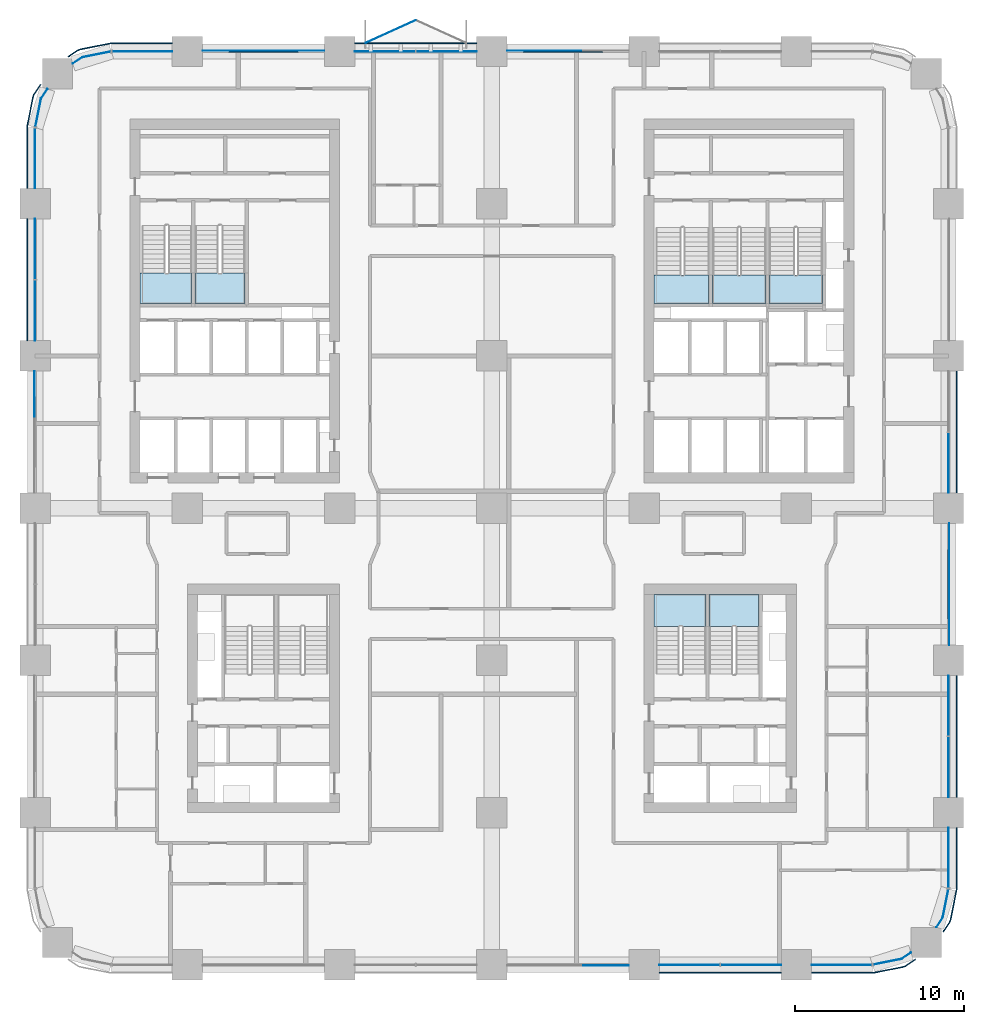
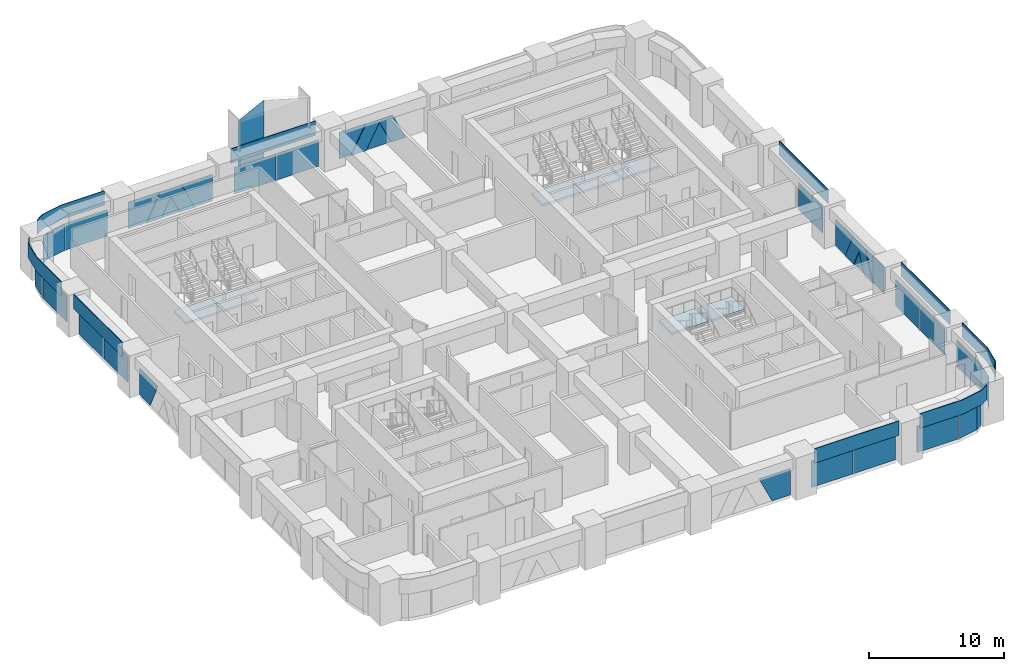
# One storey, part 11 of 23: 40 plates, 7 slabs, 21 elements without a shape of their own.
"""IFC4 building model written with IfcOpenShell, lengths in metres."""

from ifc_helpers import new_model, si_unit, direction, frame, origin, origin_2d, place, context, subcontext, project, spatial, polyline, rectangle, outline, extrude, material, layer, layer_set, type_object, element, aggregate, save


model = new_model("IFC4")

# Units and contexts
model_context = context("Model", 3, precision=1e-05, world=origin(), true_north=direction((0.0, 1.0)))
body_context = subcontext(model_context, "Body", "Model", "MODEL_VIEW")
ifc_project = project(units=[si_unit("LENGTHUNIT", "METRE"), si_unit("AREAUNIT", "SQUARE_METRE"), si_unit("VOLUMEUNIT", "CUBIC_METRE"), si_unit("PLANEANGLEUNIT", "RADIAN"), si_unit("MASSUNIT", "GRAM", prefix="KILO")], contexts=[model_context])

# Site, building, storey
site_placement = place(None, origin())
site = spatial("IfcSite", under=ifc_project, at=site_placement, CompositionType="ELEMENT")
building_placement = place(site_placement, origin())
building = spatial("IfcBuilding", under=site, at=building_placement, Name="Tessera Arch", CompositionType="ELEMENT")
storey_placement = place(building_placement, frame((0.0, 0.0, 34.800048828125)))
storey = spatial("IfcBuildingStorey", under=building, at=storey_placement, Name="L06", CompositionType="ELEMENT", Elevation=34.800048828125)

# Curtain wall, plates
ifc_material_1 = material(Name="CW1 curtain wall")
curtain_wall_type_1 = type_object("IfcCurtainWallType", Name="CW1 curtain wall", PredefinedType="NOTDEFINED", material=ifc_material_1)
curtain_wall_1_placement = place(storey_placement, origin())
curtain_wall_1 = element("IfcCurtainWall", 1, at=curtain_wall_1_placement, inside=storey, type_object=curtain_wall_type_1, Name="CW1 curtain wall S0.0/3 L06", PredefinedType="NOTDEFINED")
ifc_material_2 = material(Name="Clear low-e glass", Category="glass")
ifc_material_3 = material(Name="Clear low-e glass", Category="glass")
ifc_layer_1 = layer(ifc_material_3, 0.028076171875)
ifc_layer_set_1 = layer_set([ifc_layer_1], Name="CW1 glass panel")
plate_type_1 = type_object("IfcPlateType", Name="CW1 glass panel", PredefinedType="CURTAIN_PANEL", material=ifc_layer_set_1)
plate_1_placement = place(storey_placement, frame((38.68505859375, 0.0, 0.0), z_axis=(0.0, 0.0, 1.0), x_axis=(1.0, 0.0, 0.0)))
plate_1 = element("IfcPlate", 2, at=plate_1_placement, type_object=plate_type_1, material=ifc_material_2, Name="CW1 glass panel S0.0/3 1.1.1", PredefinedType="CURTAIN_PANEL", context=body_context, shape_type="SweptSolid", body=[
    extrude(rectangle(XDim=3.570068359375, YDim=0.028076171875, at=origin_2d()), origin(), (0.0, 0.0, 1.0), 2.39990234375),
])
plate_2_placement = place(storey_placement, frame((42.31494140625, 0.0, 0.0), z_axis=(0.0, 0.0, 1.0), x_axis=(1.0, 0.0, 0.0)))
plate_2 = element("IfcPlate", 3, at=plate_2_placement, type_object=plate_type_1, material=ifc_material_2, Name="CW1 glass panel S0.0/3 1.2.1", PredefinedType="CURTAIN_PANEL", context=body_context, shape_type="SweptSolid", body=[
    extrude(rectangle(XDim=3.570068359375, YDim=0.028076171875, at=origin_2d()), origin(), (0.0, 0.0, 1.0), 2.39990234375),
])

curtain_wall_2_placement = place(storey_placement, origin())
curtain_wall_2 = element("IfcCurtainWall", 4, at=curtain_wall_2_placement, inside=storey, type_object=curtain_wall_type_1, Name="CW1 curtain wall E54.0/1 L06", PredefinedType="NOTDEFINED")
plate_3_placement = place(storey_placement, frame((54.0, 11.68505859375, 0.0), z_axis=(0.0, 0.0, 1.0), x_axis=(0.0, 1.0, 0.0)))
plate_3 = element("IfcPlate", 5, at=plate_3_placement, type_object=plate_type_1, material=ifc_material_2, Name="CW1 glass panel E54.0/1 1.1.1", PredefinedType="CURTAIN_PANEL", context=body_context, shape_type="SweptSolid", body=[
    extrude(rectangle(XDim=3.570068359375, YDim=0.028076171875, at=origin_2d()), origin(), (0.0, 0.0, 1.0), 2.39990234375),
])
plate_4_placement = place(storey_placement, frame((54.0, 15.31494140625, 0.0), z_axis=(0.0, 0.0, 1.0), x_axis=(0.0, 1.0, 0.0)))
plate_4 = element("IfcPlate", 6, at=plate_4_placement, type_object=plate_type_1, material=ifc_material_2, Name="CW1 glass panel E54.0/1 1.2.1", PredefinedType="CURTAIN_PANEL", context=body_context, shape_type="SweptSolid", body=[
    extrude(rectangle(XDim=3.570068359375, YDim=0.028076171875, at=origin_2d()), origin(), (0.0, 0.0, 1.0), 2.39990234375),
])

# Curtain wall, plate
curtain_wall_3_placement = place(storey_placement, origin())
curtain_wall_3 = element("IfcCurtainWall", 7, at=curtain_wall_3_placement, inside=storey, type_object=curtain_wall_type_1, Name="CW1 curtain wall E54.0/3 L06", PredefinedType="NOTDEFINED")
plate_5_placement = place(storey_placement, frame((54.0, 29.68505859375, 0.0), z_axis=(0.0, 0.0, 1.0), x_axis=(0.0, 1.0, 0.0)))
plate_5 = element("IfcPlate", 8, at=plate_5_placement, type_object=plate_type_1, material=ifc_material_2, Name="CW1 glass panel E54.0/3 1.1.1", PredefinedType="CURTAIN_PANEL", context=body_context, shape_type="SweptSolid", body=[
    extrude(rectangle(XDim=3.570068359375, YDim=0.028076171875, at=origin_2d()), origin(), (0.0, 0.0, 1.0), 2.39990234375),
])

# Curtain wall, plates
curtain_wall_4_placement = place(storey_placement, origin())
curtain_wall_4 = element("IfcCurtainWall", 9, at=curtain_wall_4_placement, inside=storey, type_object=curtain_wall_type_1, Name="CW1 curtain wall N54.0/3 L06", PredefinedType="NOTDEFINED")
plate_6_placement = place(storey_placement, frame((24.31494140625, 54.0, 0.0), z_axis=(0.0, 0.0, 1.0), x_axis=(-1.0, 0.0, 0.0)))
plate_6 = element("IfcPlate", 10, at=plate_6_placement, type_object=plate_type_1, material=ifc_material_2, Name="CW1 glass panel N54.0/3 1.1.1", PredefinedType="CURTAIN_PANEL", context=body_context, shape_type="SweptSolid", body=[
    extrude(rectangle(XDim=3.570068359375, YDim=0.028076171875, at=origin_2d()), origin(), (0.0, 0.0, 1.0), 2.39990234375),
])
plate_7_placement = place(storey_placement, frame((20.68505859375, 54.0, 0.0), z_axis=(0.0, 0.0, 1.0), x_axis=(-1.0, 0.0, 0.0)))
plate_7 = element("IfcPlate", 11, at=plate_7_placement, type_object=plate_type_1, material=ifc_material_2, Name="CW1 glass panel N54.0/3 1.2.1", PredefinedType="CURTAIN_PANEL", context=body_context, shape_type="SweptSolid", body=[
    extrude(rectangle(XDim=3.570068359375, YDim=0.028076171875, at=origin_2d()), origin(), (0.0, 0.0, 1.0), 2.39990234375),
])

curtain_wall_5_placement = place(storey_placement, origin())
curtain_wall_5 = element("IfcCurtainWall", 12, at=curtain_wall_5_placement, inside=storey, type_object=curtain_wall_type_1, Name="CW1 curtain wall W0.0/1 L06", PredefinedType="NOTDEFINED")
plate_8_placement = place(storey_placement, frame((0.0, 42.31494140625, 0.0), z_axis=(0.0, 0.0, 1.0), x_axis=(0.0, -1.0, 0.0)))
plate_8 = element("IfcPlate", 13, at=plate_8_placement, type_object=plate_type_1, material=ifc_material_2, Name="CW1 glass panel W0.0/1 1.1.1", PredefinedType="CURTAIN_PANEL", context=body_context, shape_type="SweptSolid", body=[
    extrude(rectangle(XDim=3.570068359375, YDim=0.028076171875, at=origin_2d()), origin(), (0.0, 0.0, 1.0), 2.39990234375),
])
plate_9_placement = place(storey_placement, frame((0.0, 38.68505859375, 0.0), z_axis=(0.0, 0.0, 1.0), x_axis=(0.0, -1.0, 0.0)))
plate_9 = element("IfcPlate", 14, at=plate_9_placement, type_object=plate_type_1, material=ifc_material_2, Name="CW1 glass panel W0.0/1 1.2.1", PredefinedType="CURTAIN_PANEL", context=body_context, shape_type="SweptSolid", body=[
    extrude(rectangle(XDim=3.570068359375, YDim=0.028076171875, at=origin_2d()), origin(), (0.0, 0.0, 1.0), 2.39990234375),
])

# Plate
ifc_material_4 = material(Name="Pale anodised aluminium panel", Category="aluminium")
ifc_layer_2 = layer(ifc_material_4, 0.06005859375)
ifc_layer_set_2 = layer_set([ifc_layer_2], Name="CW1 spandrel panel")
plate_type_2 = type_object("IfcPlateType", Name="CW1 spandrel panel", PredefinedType="CURTAIN_PANEL", material=ifc_layer_set_2)
plate_10_placement = place(storey_placement, frame((40.5, -0.47998046875, 2.5), z_axis=(0.0, 0.0, 1.0), x_axis=(1.0, 0.0, 0.0)))
plate_10 = element("IfcPlate", 15, at=plate_10_placement, type_object=plate_type_2, Name="CW1 spandrel panel S0.0/3", PredefinedType="CURTAIN_PANEL", context=body_context, shape_type="SweptSolid", body=[
    extrude(rectangle(XDim=7.199951171875, YDim=0.06005859375, at=origin_2d()), origin(), (0.0, 0.0, 1.0), 1.300048828125),
])

aggregate(curtain_wall_1, [plate_1, plate_2, plate_10])

plate_11_placement = place(storey_placement, frame((54.47998046875, 13.5, 2.5), z_axis=(0.0, 0.0, 1.0), x_axis=(0.0, 1.0, 0.0)))
plate_11 = element("IfcPlate", 16, at=plate_11_placement, type_object=plate_type_2, Name="CW1 spandrel panel E54.0/1", PredefinedType="CURTAIN_PANEL", context=body_context, shape_type="SweptSolid", body=[
    extrude(rectangle(XDim=7.199951171875, YDim=0.06005859375, at=origin_2d()), origin(), (0.0, 0.0, 1.0), 1.300048828125),
])

aggregate(curtain_wall_2, [plate_3, plate_4, plate_11])

plate_12_placement = place(storey_placement, frame((54.47998046875, 31.5, 2.5), z_axis=(0.0, 0.0, 1.0), x_axis=(0.0, 1.0, 0.0)))
plate_12 = element("IfcPlate", 17, at=plate_12_placement, type_object=plate_type_2, Name="CW1 spandrel panel E54.0/3", PredefinedType="CURTAIN_PANEL", context=body_context, shape_type="SweptSolid", body=[
    extrude(rectangle(XDim=7.199951171875, YDim=0.06005859375, at=origin_2d()), origin(), (0.0, 0.0, 1.0), 1.300048828125),
])

aggregate(curtain_wall_3, [plate_5, plate_12])

plate_13_placement = place(storey_placement, frame((22.5, 54.47998046875, 2.5), z_axis=(0.0, 0.0, 1.0), x_axis=(-1.0, 0.0, 0.0)))
plate_13 = element("IfcPlate", 18, at=plate_13_placement, type_object=plate_type_2, Name="CW1 spandrel panel N54.0/3", PredefinedType="CURTAIN_PANEL", context=body_context, shape_type="SweptSolid", body=[
    extrude(rectangle(XDim=7.199951171875, YDim=0.06005859375, at=origin_2d()), origin(), (0.0, 0.0, 1.0), 1.300048828125),
])

aggregate(curtain_wall_4, [plate_6, plate_7, plate_13])

plate_14_placement = place(storey_placement, frame((-0.47998046875, 40.5, 2.5), z_axis=(0.0, 0.0, 1.0), x_axis=(0.0, -1.0, 0.0)))
plate_14 = element("IfcPlate", 19, at=plate_14_placement, type_object=plate_type_2, Name="CW1 spandrel panel W0.0/1", PredefinedType="CURTAIN_PANEL", context=body_context, shape_type="SweptSolid", body=[
    extrude(rectangle(XDim=7.199951171875, YDim=0.06005859375, at=origin_2d()), origin(), (0.0, 0.0, 1.0), 1.300048828125),
])

aggregate(curtain_wall_5, [plate_8, plate_9, plate_14])

# Curtain wall, plates
ifc_material_5 = material(Name="CW2 curtain wall")
curtain_wall_type_2 = type_object("IfcCurtainWallType", Name="CW2 curtain wall", PredefinedType="NOTDEFINED", material=ifc_material_5)
curtain_wall_6_placement = place(storey_placement, origin())
curtain_wall_6 = element("IfcCurtainWall", 20, at=curtain_wall_6_placement, inside=storey, type_object=curtain_wall_type_2, Name="CW2 curtain wall S0.0/4 L06", PredefinedType="NOTDEFINED")
ifc_material_6 = material(Name="Clear low-e glass", Category="glass")
ifc_layer_3 = layer(ifc_material_6, 0.028076171875)
ifc_layer_set_3 = layer_set([ifc_layer_3], Name="CW2 glass panel")
plate_type_3 = type_object("IfcPlateType", Name="CW2 glass panel", PredefinedType="CURTAIN_PANEL", material=ifc_layer_set_3)
plate_15_placement = place(storey_placement, frame((47.679931640625, 0.0, 0.0), z_axis=(0.0, 0.0, 1.0), x_axis=(1.0, 0.0, 0.0)))
plate_15 = element("IfcPlate", 21, at=plate_15_placement, type_object=plate_type_3, material=ifc_material_2, Name="CW2 glass panel S0.0/4 1.1", PredefinedType="CURTAIN_PANEL", context=body_context, shape_type="SweptSolid", body=[
    extrude(rectangle(XDim=3.56005859375, YDim=0.028076171875, at=origin_2d()), origin(), (0.0, 0.0, 1.0), 2.39990234375),
])
plate_16_placement = place(storey_placement, origin())
plate_16 = element("IfcPlate", 22, at=plate_16_placement, type_object=plate_type_3, material=ifc_material_2, Name="CW2 curved glass panel S0.0/4 2.1", PredefinedType="CURTAIN_PANEL", context=body_context, shape_type="SweptSolid", body=[
    extrude(outline(polyline([(51.216552734375, 0.355712890625), (49.53662109375, 0.021484375), (49.5419921875, -0.005859375), (51.2275390625, 0.329345703125), (51.789794921875, 0.705078125), (51.774169921875, 0.728271484375), (51.216552734375, 0.355712890625)])), origin(), (0.0, 0.0, 1.0), 2.39990234375),
])

curtain_wall_7_placement = place(storey_placement, origin())
curtain_wall_7 = element("IfcCurtainWall", 23, at=curtain_wall_7_placement, inside=storey, type_object=curtain_wall_type_2, Name="CW2 curtain wall E54.0/0 L06", PredefinedType="NOTDEFINED")
plate_17_placement = place(storey_placement, frame((54.0, 6.320068359375, 0.0), z_axis=(0.0, 0.0, 1.0), x_axis=(0.0, 1.0, 0.0)))
plate_17 = element("IfcPlate", 24, at=plate_17_placement, type_object=plate_type_3, material=ifc_material_2, Name="CW2 glass panel E54.0/0 1.1", PredefinedType="CURTAIN_PANEL", context=body_context, shape_type="SweptSolid", body=[
    extrude(rectangle(XDim=3.56005859375, YDim=0.028076171875, at=origin_2d()), origin(), (0.0, 0.0, 1.0), 2.39990234375),
])
plate_18_placement = place(storey_placement, origin())
plate_18 = element("IfcPlate", 25, at=plate_18_placement, type_object=plate_type_3, material=ifc_material_2, Name="CW2 curved glass panel E54.0/0 2.1", PredefinedType="CURTAIN_PANEL", context=body_context, shape_type="SweptSolid", body=[
    extrude(outline(polyline([(53.644287109375, 2.783447265625), (53.271728515625, 2.225830078125), (53.294921875, 2.210205078125), (53.670654296875, 2.7724609375), (54.005859375, 4.4580078125), (53.978515625, 4.46337890625), (53.644287109375, 2.783447265625)])), origin(), (0.0, 0.0, 1.0), 2.39990234375),
])

curtain_wall_8_placement = place(storey_placement, origin())
curtain_wall_8 = element("IfcCurtainWall", 26, at=curtain_wall_8_placement, inside=storey, type_object=curtain_wall_type_2, Name="CW2 curtain wall N54.0/5 L06", PredefinedType="NOTDEFINED")
plate_19_placement = place(storey_placement, frame((6.320068359375, 54.0, 0.0), z_axis=(0.0, 0.0, 1.0), x_axis=(-1.0, 0.0, 0.0)))
plate_19 = element("IfcPlate", 27, at=plate_19_placement, type_object=plate_type_3, material=ifc_material_2, Name="CW2 glass panel N54.0/5 1.1", PredefinedType="CURTAIN_PANEL", context=body_context, shape_type="SweptSolid", body=[
    extrude(rectangle(XDim=3.56005859375, YDim=0.028076171875, at=origin_2d()), origin(), (0.0, 0.0, 1.0), 2.39990234375),
])
plate_20_placement = place(storey_placement, origin())
plate_20 = element("IfcPlate", 28, at=plate_20_placement, type_object=plate_type_3, material=ifc_material_2, Name="CW2 curved glass panel N54.0/5 2.1", PredefinedType="CURTAIN_PANEL", context=body_context, shape_type="SweptSolid", body=[
    extrude(outline(polyline([(2.783447265625, 53.644287109375), (4.46337890625, 53.978515625), (4.4580078125, 54.005859375), (2.7724609375, 53.670654296875), (2.210205078125, 53.294921875), (2.225830078125, 53.271728515625), (2.783447265625, 53.644287109375)])), origin(), (0.0, 0.0, 1.0), 2.39990234375),
])

curtain_wall_9_placement = place(storey_placement, origin())
curtain_wall_9 = element("IfcCurtainWall", 29, at=curtain_wall_9_placement, inside=storey, type_object=curtain_wall_type_2, Name="CW2 curtain wall W0.0/0 L06", PredefinedType="NOTDEFINED")
plate_21_placement = place(storey_placement, frame((0.0, 47.679931640625, 0.0), z_axis=(0.0, 0.0, 1.0), x_axis=(0.0, -1.0, 0.0)))
plate_21 = element("IfcPlate", 30, at=plate_21_placement, type_object=plate_type_3, material=ifc_material_2, Name="CW2 glass panel W0.0/0 1.1", PredefinedType="CURTAIN_PANEL", context=body_context, shape_type="SweptSolid", body=[
    extrude(rectangle(XDim=3.56005859375, YDim=0.028076171875, at=origin_2d()), origin(), (0.0, 0.0, 1.0), 2.39990234375),
])
plate_22_placement = place(storey_placement, origin())
plate_22 = element("IfcPlate", 31, at=plate_22_placement, type_object=plate_type_3, material=ifc_material_2, Name="CW2 curved glass panel W0.0/0 2.1", PredefinedType="CURTAIN_PANEL", context=body_context, shape_type="SweptSolid", body=[
    extrude(outline(polyline([(0.355712890625, 51.216552734375), (0.728271484375, 51.774169921875), (0.705078125, 51.789794921875), (0.329345703125, 51.2275390625), (-0.005859375, 49.5419921875), (0.021484375, 49.53662109375), (0.355712890625, 51.216552734375)])), origin(), (0.0, 0.0, 1.0), 2.39990234375),
])

# Plate
ifc_material_7 = material(Name="Pale anodised aluminium panel", Category="aluminium")
ifc_layer_4 = layer(ifc_material_7, 0.06005859375)
ifc_layer_set_4 = layer_set([ifc_layer_4], Name="CW2 spandrel panel")
plate_type_4 = type_object("IfcPlateType", Name="CW2 spandrel panel", PredefinedType="CURTAIN_PANEL", material=ifc_layer_set_4)
plate_23_placement = place(storey_placement, frame((0.0, 0.0, 2.5)))
plate_23 = element("IfcPlate", 32, at=plate_23_placement, type_object=plate_type_4, Name="CW2 spandrel panel S0.0/4", PredefinedType="CURTAIN_PANEL", context=body_context, shape_type="SweptSolid", body=[
    extrude(outline(polyline([(49.499267578125, -0.449951171875), (45.89990234375, -0.449951171875), (45.89990234375, -0.510009765625), (49.500732421875, -0.510009765625), (49.550048828125, -0.507568359375), (49.598876953125, -0.500244140625), (51.322265625, -0.157470703125), (51.3701171875, -0.1455078125), (51.417236328125, -0.128662109375), (51.462646484375, -0.107177734375), (51.5048828125, -0.08203125), (52.0654296875, 0.292724609375), (52.031982421875, 0.342529296875), (51.47265625, -0.03125), (51.434326171875, -0.05419921875), (51.394287109375, -0.0732421875), (51.352783203125, -0.088134765625), (51.30908203125, -0.09912109375), (49.588623046875, -0.441162109375), (49.544189453125, -0.44775390625), (49.499267578125, -0.449951171875)])), origin(), (0.0, 0.0, 1.0), 1.300048828125),
])

aggregate(curtain_wall_6, [plate_15, plate_16, plate_23])

plate_24_placement = place(storey_placement, frame((0.0, 0.0, 2.5)))
plate_24 = element("IfcPlate", 33, at=plate_24_placement, type_object=plate_type_4, Name="CW2 spandrel panel E54.0/0", PredefinedType="CURTAIN_PANEL", context=body_context, shape_type="SweptSolid", body=[
    extrude(outline(polyline([(54.03125, 2.52734375), (53.657470703125, 1.968017578125), (53.707275390625, 1.9345703125), (54.08203125, 2.4951171875), (54.107177734375, 2.537353515625), (54.128662109375, 2.582763671875), (54.1455078125, 2.6298828125), (54.157470703125, 2.677734375), (54.500244140625, 4.401123046875), (54.507568359375, 4.449951171875), (54.510009765625, 4.499267578125), (54.510009765625, 8.10009765625), (54.449951171875, 8.10009765625), (54.449951171875, 4.500732421875), (54.44775390625, 4.455810546875), (54.441162109375, 4.411376953125), (54.09912109375, 2.69091796875), (54.088134765625, 2.647216796875), (54.0732421875, 2.605712890625), (54.05419921875, 2.565673828125), (54.03125, 2.52734375)])), origin(), (0.0, 0.0, 1.0), 1.300048828125),
])

aggregate(curtain_wall_7, [plate_17, plate_18, plate_24])

plate_25_placement = place(storey_placement, frame((0.0, 0.0, 2.5)))
plate_25 = element("IfcPlate", 34, at=plate_25_placement, type_object=plate_type_4, Name="CW2 spandrel panel N54.0/5", PredefinedType="CURTAIN_PANEL", context=body_context, shape_type="SweptSolid", body=[
    extrude(outline(polyline([(4.500732421875, 54.449951171875), (8.10009765625, 54.449951171875), (8.10009765625, 54.510009765625), (4.499267578125, 54.510009765625), (4.449951171875, 54.507568359375), (4.401123046875, 54.500244140625), (2.677734375, 54.157470703125), (2.6298828125, 54.1455078125), (2.582763671875, 54.128662109375), (2.537353515625, 54.107177734375), (2.4951171875, 54.08203125), (1.9345703125, 53.707275390625), (1.968017578125, 53.657470703125), (2.52734375, 54.03125), (2.565673828125, 54.05419921875), (2.605712890625, 54.0732421875), (2.647216796875, 54.088134765625), (2.69091796875, 54.09912109375), (4.411376953125, 54.441162109375), (4.455810546875, 54.44775390625), (4.500732421875, 54.449951171875)])), origin(), (0.0, 0.0, 1.0), 1.300048828125),
])

aggregate(curtain_wall_8, [plate_19, plate_20, plate_25])

plate_26_placement = place(storey_placement, frame((0.0, 0.0, 2.5)))
plate_26 = element("IfcPlate", 35, at=plate_26_placement, type_object=plate_type_4, Name="CW2 spandrel panel W0.0/0", PredefinedType="CURTAIN_PANEL", context=body_context, shape_type="SweptSolid", body=[
    extrude(outline(polyline([(-0.03125, 51.47265625), (0.342529296875, 52.031982421875), (0.292724609375, 52.0654296875), (-0.08203125, 51.5048828125), (-0.107177734375, 51.462646484375), (-0.128662109375, 51.417236328125), (-0.1455078125, 51.3701171875), (-0.157470703125, 51.322265625), (-0.500244140625, 49.598876953125), (-0.507568359375, 49.550048828125), (-0.510009765625, 49.500732421875), (-0.510009765625, 45.89990234375), (-0.449951171875, 45.89990234375), (-0.449951171875, 49.499267578125), (-0.44775390625, 49.544189453125), (-0.441162109375, 49.588623046875), (-0.09912109375, 51.30908203125), (-0.088134765625, 51.352783203125), (-0.0732421875, 51.394287109375), (-0.05419921875, 51.434326171875), (-0.03125, 51.47265625)])), origin(), (0.0, 0.0, 1.0), 1.300048828125),
])

aggregate(curtain_wall_9, [plate_21, plate_22, plate_26])

# Curtain wall, plate
ifc_material_8 = material(Name="CW3 curtain wall")
curtain_wall_type_3 = type_object("IfcCurtainWallType", Name="CW3 curtain wall", PredefinedType="NOTDEFINED", material=ifc_material_8)
curtain_wall_10_placement = place(storey_placement, origin())
curtain_wall_10 = element("IfcCurtainWall", 36, at=curtain_wall_10_placement, inside=storey, type_object=curtain_wall_type_3, Name="CW3 curtain wall E54.0/2 L06", PredefinedType="NOTDEFINED")
ifc_material_9 = material(Name="Pale anodised aluminium panel", Category="aluminium")
ifc_layer_5 = layer(ifc_material_9, 0.06005859375)
ifc_layer_set_5 = layer_set([ifc_layer_5], Name="CW3 diagonal panel")
plate_type_5 = type_object("IfcPlateType", Name="CW3 diagonal panel", PredefinedType="CURTAIN_PANEL", material=ifc_layer_set_5)
plate_27_placement = place(storey_placement, frame((54.030029296875, 23.41259765625, 2.39990234375), z_axis=(1.0, 0.0, 0.0), x_axis=(0.0, -1.0, 0.0)))
plate_27 = element("IfcPlate", 37, at=plate_27_placement, type_object=plate_type_5, Name="CW3 diagonal panel E54.0/2 1", PredefinedType="CURTAIN_PANEL", context=body_context, shape_type="SweptSolid", body=[
    extrude(outline(polyline([(0.0, 0.0), (1.8251953125, 0.0), (2.962158203125, 2.39990234375), (1.705078125, 2.39990234375), (0.91259765625, 0.726806640625), (0.1201171875, 2.39990234375), (-1.136962890625, 2.39990234375), (0.0, 0.0)])), origin(), (0.0, 0.0, -1.0), 0.06005859375),
])

curtain_wall_11_placement = place(storey_placement, origin())
curtain_wall_11 = element("IfcCurtainWall", 38, at=curtain_wall_11_placement, inside=storey, type_object=curtain_wall_type_3, Name="CW3 curtain wall N54.0/2 L06", PredefinedType="NOTDEFINED")
plate_28_placement = place(storey_placement, frame((30.1259765625, 54.030029296875, 2.39990234375), z_axis=(0.0, 1.0, 0.0), x_axis=(1.0, 0.0, 0.0)))
plate_28 = element("IfcPlate", 39, at=plate_28_placement, type_object=plate_type_5, Name="CW3 diagonal panel N54.0/2 1", PredefinedType="CURTAIN_PANEL", context=body_context, shape_type="SweptSolid", body=[
    extrude(outline(polyline([(0.0, 0.0), (2.28662109375, 0.0), (3.423583984375, 2.39990234375), (2.16650390625, 2.39990234375), (1.150390625, 0.25439453125), (0.01708984375, 2.39990234375), (-1.267822265625, 2.39990234375), (0.0, 0.0)])), origin(), (0.0, 0.0, -1.0), 0.06005859375),
])

curtain_wall_12_placement = place(storey_placement, origin())
curtain_wall_12 = element("IfcCurtainWall", 40, at=curtain_wall_12_placement, inside=storey, type_object=curtain_wall_type_3, Name="CW3 curtain wall N54.0/4 L06", PredefinedType="NOTDEFINED")
plate_29_placement = place(storey_placement, frame((12.58740234375, 54.030029296875, 2.39990234375), z_axis=(0.0, 1.0, 0.0), x_axis=(1.0, 0.0, 0.0)))
plate_29 = element("IfcPlate", 41, at=plate_29_placement, type_object=plate_type_5, Name="CW3 diagonal panel N54.0/4 1", PredefinedType="CURTAIN_PANEL", context=body_context, shape_type="SweptSolid", body=[
    extrude(outline(polyline([(0.0, 0.0), (1.8251953125, 0.0), (2.962158203125, 2.39990234375), (1.705078125, 2.39990234375), (0.91259765625, 0.726806640625), (0.1201171875, 2.39990234375), (-1.136962890625, 2.39990234375), (0.0, 0.0)])), origin(), (0.0, 0.0, -1.0), 0.06005859375),
])

curtain_wall_13_placement = place(storey_placement, origin())
curtain_wall_13 = element("IfcCurtainWall", 42, at=curtain_wall_13_placement, inside=storey, type_object=curtain_wall_type_3, Name="CW3 curtain wall S0.0/2 L06", PredefinedType="NOTDEFINED")
ifc_material_10 = material(Name="Clear low-e glass", Category="glass")
ifc_layer_6 = layer(ifc_material_10, 0.028076171875)
ifc_layer_set_6 = layer_set([ifc_layer_6], Name="CW3 glass panel")
plate_type_6 = type_object("IfcPlateType", Name="CW3 glass panel", PredefinedType="CURTAIN_PANEL", material=ifc_layer_set_6)
plate_30_placement = place(storey_placement, frame((35.10009765625, -0.05810546875, 2.39990234375), z_axis=(0.0, -1.0, 0.0), x_axis=(-1.0, 0.0, 0.0)))
plate_30 = element("IfcPlate", 43, at=plate_30_placement, type_object=plate_type_6, material=ifc_material_2, Name="CW3 triangulated glass panel S0.0/2 3", PredefinedType="CURTAIN_PANEL", context=body_context, shape_type="SweptSolid", body=[
    extrude(outline(polyline([(0.0, 0.0), (2.6875, 0.0), (1.550537109375, 2.39990234375), (0.0, 2.39990234375), (0.0, 0.0)])), origin(), (0.0, 0.0, -1.0), 0.028076171875),
])
aggregate(curtain_wall_13, [plate_30])

# Plate
plate_31_placement = place(storey_placement, frame((54.05810546875, 18.89990234375, 0.0), z_axis=(1.0, 0.0, 0.0), x_axis=(0.0, 1.0, 0.0)))
plate_31 = element("IfcPlate", 44, at=plate_31_placement, type_object=plate_type_6, material=ifc_material_2, Name="CW3 triangulated glass panel E54.0/2 1", PredefinedType="CURTAIN_PANEL", context=body_context, shape_type="SweptSolid", body=[
    extrude(outline(polyline([(0.0, 0.0), (1.550537109375, 0.0), (2.6875, 2.39990234375), (0.0, 2.39990234375), (0.0, 0.0)])), origin(), (0.0, 0.0, -1.0), 0.028076171875),
])

plate_32_placement = place(storey_placement, frame((54.05810546875, 21.70751953125, 0.0), z_axis=(1.0, 0.0, 0.0), x_axis=(0.0, 1.0, 0.0)))
plate_32 = element("IfcPlate", 45, at=plate_32_placement, type_object=plate_type_6, material=ifc_material_2, Name="CW3 triangulated glass panel E54.0/2 2", PredefinedType="CURTAIN_PANEL", context=body_context, shape_type="SweptSolid", body=[
    extrude(outline(polyline([(0.0, 0.0), (1.5849609375, 0.0), (0.79248046875, 1.673095703125), (0.0, 0.0)])), origin(), (0.0, 0.0, -1.0), 0.028076171875),
])

plate_33_placement = place(storey_placement, frame((54.05810546875, 26.10009765625, 2.39990234375), z_axis=(1.0, 0.0, 0.0), x_axis=(0.0, -1.0, 0.0)))
plate_33 = element("IfcPlate", 46, at=plate_33_placement, type_object=plate_type_6, material=ifc_material_2, Name="CW3 triangulated glass panel E54.0/2 3", PredefinedType="CURTAIN_PANEL", context=body_context, shape_type="SweptSolid", body=[
    extrude(outline(polyline([(0.0, 0.0), (2.6875, 0.0), (1.550537109375, 2.39990234375), (0.0, 2.39990234375), (0.0, 0.0)])), origin(), (0.0, 0.0, -1.0), 0.028076171875),
])

aggregate(curtain_wall_10, [plate_31, plate_32, plate_33, plate_27])

plate_34_placement = place(storey_placement, frame((32.29248046875, 54.05810546875, 0.0), z_axis=(0.0, 1.0, 0.0), x_axis=(-1.0, 0.0, 0.0)))
plate_34 = element("IfcPlate", 47, at=plate_34_placement, type_object=plate_type_6, material=ifc_material_2, Name="CW3 triangulated glass panel N54.0/2 2", PredefinedType="CURTAIN_PANEL", context=body_context, shape_type="SweptSolid", body=[
    extrude(outline(polyline([(0.0, 0.0), (2.1494140625, 0.0), (1.01611328125, 2.1455078125), (0.0, 0.0)])), origin(), (0.0, 0.0, -1.0), 0.028076171875),
])

plate_35_placement = place(storey_placement, frame((27.89990234375, 54.05810546875, 2.39990234375), z_axis=(0.0, 1.0, 0.0), x_axis=(1.0, 0.0, 0.0)))
plate_35 = element("IfcPlate", 48, at=plate_35_placement, type_object=plate_type_6, material=ifc_material_2, Name="CW3 triangulated glass panel N54.0/2 3", PredefinedType="CURTAIN_PANEL", context=body_context, shape_type="SweptSolid", body=[
    extrude(outline(polyline([(0.0, 0.0), (2.22607421875, 0.0), (0.958251953125, 2.39990234375), (0.0, 2.39990234375), (0.0, 0.0)])), origin(), (0.0, 0.0, -1.0), 0.028076171875),
])

aggregate(curtain_wall_11, [plate_34, plate_35, plate_28])

plate_36_placement = place(storey_placement, frame((17.10009765625, 54.05810546875, 0.0), z_axis=(0.0, 1.0, 0.0), x_axis=(-1.0, 0.0, 0.0)))
plate_36 = element("IfcPlate", 49, at=plate_36_placement, type_object=plate_type_6, material=ifc_material_2, Name="CW3 triangulated glass panel N54.0/4 1", PredefinedType="CURTAIN_PANEL", context=body_context, shape_type="SweptSolid", body=[
    extrude(outline(polyline([(0.0, 0.0), (1.550537109375, 0.0), (2.6875, 2.39990234375), (0.0, 2.39990234375), (0.0, 0.0)])), origin(), (0.0, 0.0, -1.0), 0.028076171875),
])

plate_37_placement = place(storey_placement, frame((14.29248046875, 54.05810546875, 0.0), z_axis=(0.0, 1.0, 0.0), x_axis=(-1.0, 0.0, 0.0)))
plate_37 = element("IfcPlate", 50, at=plate_37_placement, type_object=plate_type_6, material=ifc_material_2, Name="CW3 triangulated glass panel N54.0/4 2", PredefinedType="CURTAIN_PANEL", context=body_context, shape_type="SweptSolid", body=[
    extrude(outline(polyline([(0.0, 0.0), (1.5849609375, 0.0), (0.79248046875, 1.673095703125), (0.0, 0.0)])), origin(), (0.0, 0.0, -1.0), 0.028076171875),
])

plate_38_placement = place(storey_placement, frame((9.89990234375, 54.05810546875, 2.39990234375), z_axis=(0.0, 1.0, 0.0), x_axis=(1.0, 0.0, 0.0)))
plate_38 = element("IfcPlate", 51, at=plate_38_placement, type_object=plate_type_6, material=ifc_material_2, Name="CW3 triangulated glass panel N54.0/4 3", PredefinedType="CURTAIN_PANEL", context=body_context, shape_type="SweptSolid", body=[
    extrude(outline(polyline([(0.0, 0.0), (2.6875, 0.0), (1.550537109375, 2.39990234375), (0.0, 2.39990234375), (0.0, 0.0)])), origin(), (0.0, 0.0, -1.0), 0.028076171875),
])

aggregate(curtain_wall_12, [plate_36, plate_37, plate_38, plate_29])

# Curtain wall, plate
curtain_wall_14_placement = place(storey_placement, origin())
curtain_wall_14 = element("IfcCurtainWall", 52, at=curtain_wall_14_placement, inside=storey, type_object=curtain_wall_type_3, Name="CW3 curtain wall W0.0/2 L06", PredefinedType="NOTDEFINED")
plate_39_placement = place(storey_placement, frame((-0.05810546875, 35.10009765625, 0.0), z_axis=(-1.0, 0.0, 0.0), x_axis=(0.0, -1.0, 0.0)))
plate_39 = element("IfcPlate", 53, at=plate_39_placement, type_object=plate_type_6, material=ifc_material_2, Name="CW3 triangulated glass panel W0.0/2 1", PredefinedType="CURTAIN_PANEL", context=body_context, shape_type="SweptSolid", body=[
    extrude(outline(polyline([(0.0, 0.0), (1.550537109375, 0.0), (2.6875, 2.39990234375), (0.0, 2.39990234375), (0.0, 0.0)])), origin(), (0.0, 0.0, -1.0), 0.028076171875),
])
aggregate(curtain_wall_14, [plate_39])

# Stair, slab
ifc_material_11 = material(Name="Concrete C40/50", Category="concrete")
stair_type_1 = type_object("IfcStairType", Name="Dogleg stair 1520", PredefinedType="HALF_TURN_STAIR", material=ifc_material_11)
stair_1_placement = place(storey_placement, origin())
stair_1 = element("IfcStair", 54, at=stair_1_placement, inside=storey, type_object=stair_type_1, Name="L06 S1a", PredefinedType="HALF_TURN_STAIR")
ifc_material_12 = material(Name="Concrete C40/50", Category="concrete")
ifc_layer_7 = layer(ifc_material_12, 0.300048828125)
ifc_layer_set_7 = layer_set([ifc_layer_7], Name="Stair landing 300")
slab_type = type_object("IfcSlabType", Name="Stair landing 300", PredefinedType="LANDING", material=ifc_layer_set_7)
slab_1_placement = place(storey_placement, frame((0.0, 0.0, 1.699951171875)))
slab_1 = element("IfcSlab", 55, at=slab_1_placement, type_object=slab_type, Name="S1a landing 1", PredefinedType="LANDING", context=body_context, shape_type="SweptSolid", body=[
    extrude(outline(polyline([(36.60009765625, 40.780029296875), (36.60009765625, 39.10009765625), (39.85009765625, 39.10009765625), (39.85009765625, 40.780029296875), (36.60009765625, 40.780029296875)])), origin(), (0.0, 0.0, 1.0), 0.199951171875),
])
aggregate(stair_1, [slab_1])

stair_2_placement = place(storey_placement, origin())
stair_2 = element("IfcStair", 56, at=stair_2_placement, inside=storey, type_object=stair_type_1, Name="L06 S1b", PredefinedType="HALF_TURN_STAIR")
slab_2_placement = place(storey_placement, frame((0.0, 0.0, 1.699951171875)))
slab_2 = element("IfcSlab", 57, at=slab_2_placement, type_object=slab_type, Name="S1b landing 1", PredefinedType="LANDING", context=body_context, shape_type="SweptSolid", body=[
    extrude(outline(polyline([(40.050048828125, 40.780029296875), (40.050048828125, 39.10009765625), (43.199951171875, 39.10009765625), (43.199951171875, 40.780029296875), (40.050048828125, 40.780029296875)])), origin(), (0.0, 0.0, 1.0), 0.199951171875),
])
aggregate(stair_2, [slab_2])

stair_3_placement = place(storey_placement, origin())
stair_3 = element("IfcStair", 58, at=stair_3_placement, inside=storey, type_object=stair_type_1, Name="L06 S1c", PredefinedType="HALF_TURN_STAIR")
slab_3_placement = place(storey_placement, frame((0.0, 0.0, 1.699951171875)))
slab_3 = element("IfcSlab", 59, at=slab_3_placement, type_object=slab_type, Name="S1c landing 1", PredefinedType="LANDING", context=body_context, shape_type="SweptSolid", body=[
    extrude(outline(polyline([(43.39990234375, 40.780029296875), (43.39990234375, 39.10009765625), (46.550048828125, 39.10009765625), (46.550048828125, 40.780029296875), (43.39990234375, 40.780029296875)])), origin(), (0.0, 0.0, 1.0), 0.199951171875),
])
aggregate(stair_3, [slab_3])

ifc_material_13 = material(Name="Concrete C40/50", Category="concrete")
stair_type_2 = type_object("IfcStairType", Name="Dogleg stair 1400", PredefinedType="HALF_TURN_STAIR", material=ifc_material_13)
stair_4_placement = place(storey_placement, origin())
stair_4 = element("IfcStair", 60, at=stair_4_placement, inside=storey, type_object=stair_type_2, Name="L06 S2a", PredefinedType="HALF_TURN_STAIR")
slab_4_placement = place(storey_placement, frame((0.0, 0.0, 1.699951171875)))
slab_4 = element("IfcSlab", 61, at=slab_4_placement, type_object=slab_type, Name="S2a landing 1", PredefinedType="LANDING", context=body_context, shape_type="SweptSolid", body=[
    extrude(outline(polyline([(6.199951171875, 40.89990234375), (6.199951171875, 39.10009765625), (9.25, 39.10009765625), (9.25, 40.89990234375), (6.199951171875, 40.89990234375)])), origin(), (0.0, 0.0, 1.0), 0.199951171875),
])
aggregate(stair_4, [slab_4])

stair_5_placement = place(storey_placement, origin())
stair_5 = element("IfcStair", 62, at=stair_5_placement, inside=storey, type_object=stair_type_2, Name="L06 S2b", PredefinedType="HALF_TURN_STAIR")
slab_5_placement = place(storey_placement, frame((0.0, 0.0, 1.699951171875)))
slab_5 = element("IfcSlab", 63, at=slab_5_placement, type_object=slab_type, Name="S2b landing 1", PredefinedType="LANDING", context=body_context, shape_type="SweptSolid", body=[
    extrude(outline(polyline([(9.449951171875, 40.89990234375), (9.449951171875, 39.10009765625), (12.39990234375, 39.10009765625), (12.39990234375, 40.89990234375), (9.449951171875, 40.89990234375)])), origin(), (0.0, 0.0, 1.0), 0.199951171875),
])
aggregate(stair_5, [slab_5])

stair_6_placement = place(storey_placement, origin())
stair_6 = element("IfcStair", 64, at=stair_6_placement, inside=storey, type_object=stair_type_2, Name="L06 S3a", PredefinedType="HALF_TURN_STAIR")
slab_6_placement = place(storey_placement, frame((0.0, 0.0, 1.699951171875)))
slab_6 = element("IfcSlab", 65, at=slab_6_placement, type_object=slab_type, Name="S3a landing 1", PredefinedType="LANDING", context=body_context, shape_type="SweptSolid", body=[
    extrude(outline(polyline([(39.64990234375, 20.0), (39.64990234375, 21.89990234375), (36.60009765625, 21.89990234375), (36.60009765625, 20.0), (39.64990234375, 20.0)])), origin(), (0.0, 0.0, 1.0), 0.199951171875),
])
aggregate(stair_6, [slab_6])

stair_7_placement = place(storey_placement, origin())
stair_7 = element("IfcStair", 66, at=stair_7_placement, inside=storey, type_object=stair_type_2, Name="L06 S3b", PredefinedType="HALF_TURN_STAIR")
slab_7_placement = place(storey_placement, frame((0.0, 0.0, 1.699951171875)))
slab_7 = element("IfcSlab", 67, at=slab_7_placement, type_object=slab_type, Name="S3b landing 1", PredefinedType="LANDING", context=body_context, shape_type="SweptSolid", body=[
    extrude(outline(polyline([(42.800048828125, 20.0), (42.800048828125, 21.89990234375), (39.85009765625, 21.89990234375), (39.85009765625, 20.0), (42.800048828125, 20.0)])), origin(), (0.0, 0.0, 1.0), 0.199951171875),
])
aggregate(stair_7, [slab_7])

# Plate
ifc_material_14 = material(Name="Clear low-e glass", Category="glass")
ifc_layer_8 = layer(ifc_material_14, 0.028076171875)
ifc_layer_set_8 = layer_set([ifc_layer_8], Name="Window box glass facet")
plate_type_7 = type_object("IfcPlateType", Name="Window box glass facet", PredefinedType="SHEET", material=ifc_layer_set_8)
plate_40_placement = place(storey_placement, frame((21.02490234375, 55.179931640625, 0.2197265625), z_axis=(0.0, 0.0, 1.0), x_axis=(0.910472144558, 0.413570397858, 0.0)))
element("IfcPlate", 68, at=plate_40_placement, inside=storey, type_object=plate_type_7, Name="Window box N54.0/3.0 2x2 glass", PredefinedType="SHEET", context=body_context, shape_type="SweptSolid", body=[
    extrude(rectangle(XDim=3.239990234375, YDim=0.028076171875, at=origin_2d()), origin(), (0.0, 0.0, 1.0), 5.860107421875),
])

save(model, "model.ifc")
